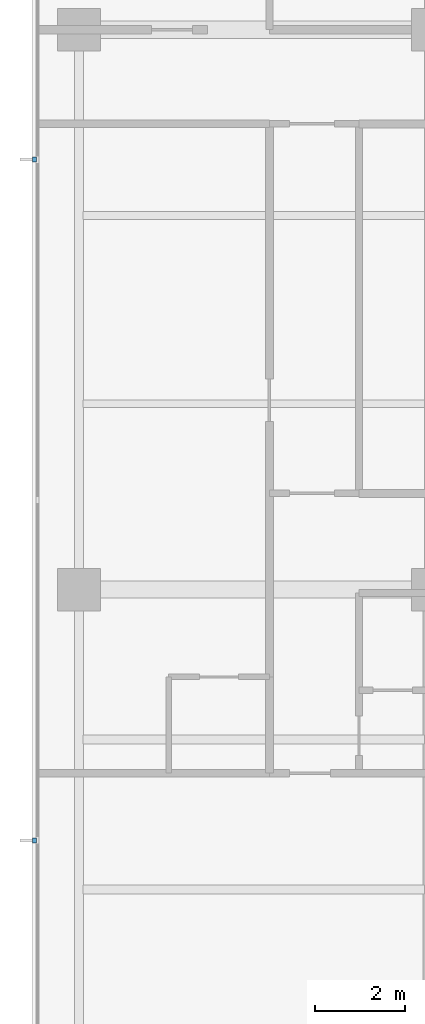
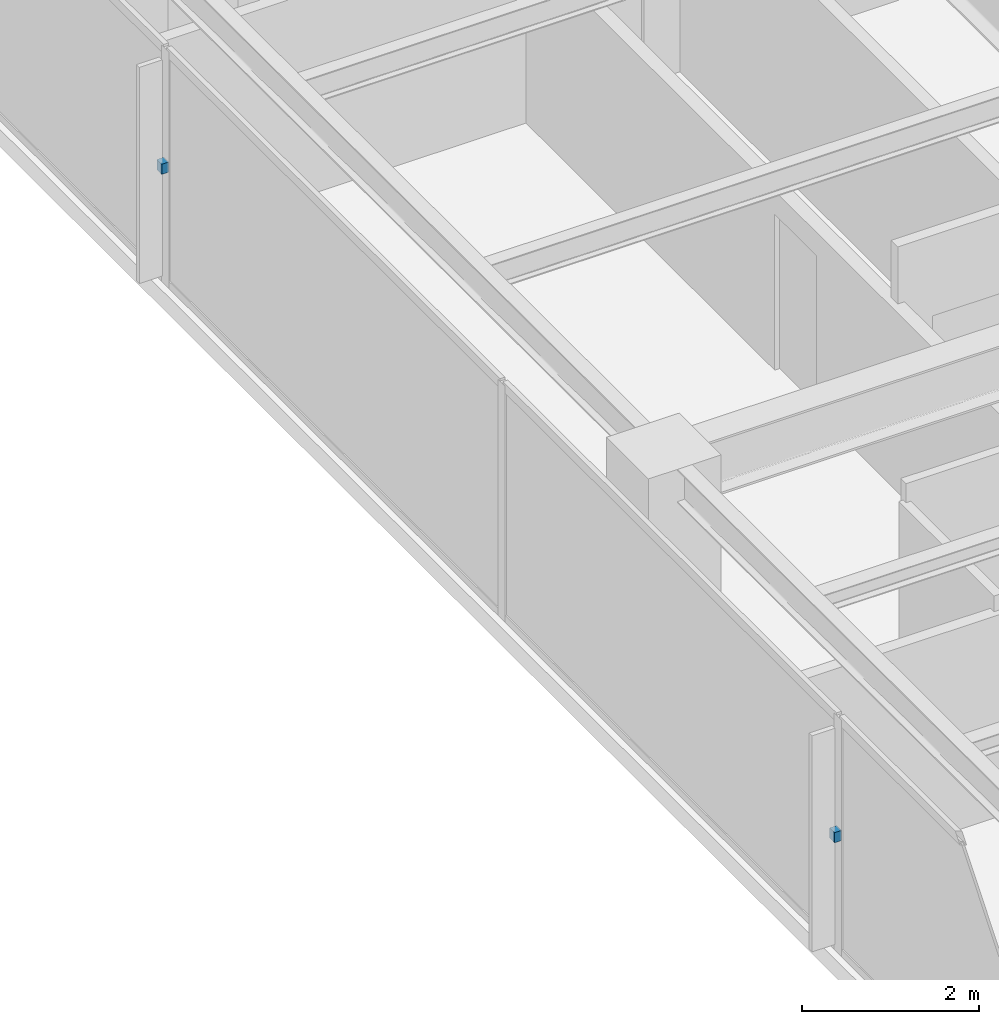
# One storey, part 11 of 15: 2 discrete accessories.
"""IFC4 building model written with IfcOpenShell, lengths in metres."""

import ifcopenshell
import ifcopenshell.guid

model = None  # the IFC model being written
_history = None  # IfcOwnerHistory: only IFC2X3 demands one
_inside = {}  # id of a spatial element -> (the spatial element, [elements in it])
_under = {}  # id of a project, library or spatial element -> (it, [spatial elements below it])
_declared = {}  # id of a project -> (the project, [libraries it declares])
_typed = {}  # id of a type object -> (the type object, [elements of that type])
_made_of = {}  # id of a material, layer set ... -> (it, [elements and type objects made of it])


def new_model(schema):
    """Start an empty IFC model of exactly this schema.

    Asked for "IFC4X3", IfcOpenShell would pick the latest addendum, in which some entities
    have other attributes; the version numbers below select the first issue.
    IFC2X3 requires an IfcOwnerHistory on every rooted entity: one is made here for all.
    """
    global model, _history
    if schema == "IFC4X3":
        model = ifcopenshell.file(schema_version=(4, 3, 0, 0))
    else:
        model = ifcopenshell.file(schema=schema)
    _inside.clear()
    _under.clear()
    _declared.clear()
    _typed.clear()
    _made_of.clear()
    _history = None
    if model.schema == "IFC2X3":
        org = make("IfcOrganization", Name="unknown")
        user = make(
            "IfcPersonAndOrganization",
            ThePerson=make("IfcPerson", FamilyName="unknown"),
            TheOrganization=org,
        )
        app = make(
            "IfcApplication",
            ApplicationDeveloper=org,
            Version="unknown",
            ApplicationFullName="unknown",
            ApplicationIdentifier="unknown",
        )
        _history = make(
            "IfcOwnerHistory",
            OwningUser=user,
            OwningApplication=app,
            ChangeAction="ADDED",
            CreationDate=0,
        )
    return model


def make(cls, **values):
    """One entity of the class cls with the attributes given. An attribute that is None is left unset."""
    return model.create_entity(
        cls, **{name: value for name, value in values.items() if value is not None}
    )


def rooted(cls, **values):
    """An entity with a GlobalId (a new one), such as an element, a storey or a relation."""
    return make(cls, GlobalId=ifcopenshell.guid.new(), OwnerHistory=_history, **values)


def si_unit(unit_type, name, prefix=None):
    """IfcSIUnit, for example si_unit("LENGTHUNIT", "METRE", prefix="MILLI")."""
    return make("IfcSIUnit", UnitType=unit_type, Prefix=prefix, Name=name)


def assignment(units):
    """IfcUnitAssignment: the units of a project."""
    return None if units is None else make("IfcUnitAssignment", Units=units)


def point(xyz):
    """IfcCartesianPoint."""
    return None if xyz is None else make("IfcCartesianPoint", Coordinates=xyz)


def direction(xyz):
    """IfcDirection."""
    return None if xyz is None else make("IfcDirection", DirectionRatios=xyz)


def frame(location, z_axis=None, x_axis=None):
    """IfcAxis2Placement3D, a coordinate frame: its origin and axes. An axis left out is left unset."""
    return make(
        "IfcAxis2Placement3D",
        Location=point(location),
        Axis=direction(z_axis),
        RefDirection=direction(x_axis),
    )


def origin():
    """The frame at (0, 0, 0) with its axes left unset."""
    return frame((0.0, 0.0, 0.0))


def place(relative_to, where):
    """IfcLocalPlacement: puts the frame where relative to a parent placement (None: the world)."""
    return make(
        "IfcLocalPlacement", PlacementRelTo=relative_to, RelativePlacement=where
    )


def context(
    kind, dimensions, precision=None, world=None, true_north=None, identifier=None
):
    """IfcGeometricRepresentationContext, for example the 3D "Model" context."""
    return make(
        "IfcGeometricRepresentationContext",
        ContextIdentifier=identifier,
        ContextType=kind,
        CoordinateSpaceDimension=dimensions,
        Precision=precision,
        WorldCoordinateSystem=world,
        TrueNorth=true_north,
    )


def subcontext(parent, identifier, kind, view, scale=None):
    """IfcGeometricRepresentationSubContext, for example "Body" below "Model"."""
    return make(
        "IfcGeometricRepresentationSubContext",
        ContextIdentifier=identifier,
        ContextType=kind,
        ParentContext=parent,
        TargetScale=scale,
        TargetView=view,
    )


def project(units=None, contexts=None):
    """IfcProject with its units and contexts."""
    return rooted(
        "IfcProject",
        Name="project",
        RepresentationContexts=contexts,
        UnitsInContext=assignment(units),
    )


def spatial(cls, under=None, at=None, **own):
    """A site, building, storey or space (cls), placed at a placement, below another one or the project."""
    s = rooted(cls, ObjectPlacement=at, **own)
    if under is not None:
        _under.setdefault(under.id(), (under, []))[1].append(s)
    return s


def polyline(points):
    """IfcPolyline through the points."""
    return make("IfcPolyline", Points=[point(p) for p in points])


def outline(outer, holes=None, kind="AREA"):
    """IfcArbitraryClosedProfileDef: a profile drawn as a closed curve; with holes, ...WithVoids."""
    if holes is None:
        return make("IfcArbitraryClosedProfileDef", ProfileType=kind, OuterCurve=outer)
    return make(
        "IfcArbitraryProfileDefWithVoids",
        ProfileType=kind,
        OuterCurve=outer,
        InnerCurves=holes,
    )


def extrude(swept, where, along, depth):
    """IfcExtrudedAreaSolid: the profile swept, set in the frame where, extruded along a direction by depth."""
    return make(
        "IfcExtrudedAreaSolid",
        SweptArea=swept,
        Position=where,
        ExtrudedDirection=direction(along),
        Depth=depth,
    )


def shape(context_of_items, identifier, shape_type, items):
    """IfcShapeRepresentation: the items that make up one representation, for example the "Body"."""
    return make(
        "IfcShapeRepresentation",
        ContextOfItems=context_of_items,
        RepresentationIdentifier=identifier,
        RepresentationType=shape_type,
        Items=items,
    )


def material(Name=None, Category=None):
    """IfcMaterial."""
    return make("IfcMaterial", Name=Name, Category=Category)


def made_of(thing, what):
    """Note that an element or type object is made of a material, layer set ...; save() writes the relation."""
    if what is not None:
        _made_of.setdefault(what.id(), (what, []))[1].append(thing)
    return thing


def type_object(cls, material=None, **own):
    """A type object (cls), such as IfcWallType, which elements share."""
    return made_of(rooted(cls, **own), material)


def element(
    cls,
    number,
    at=None,
    inside=None,
    cuts=None,
    type_object=None,
    material=None,
    context=None,
    identifier="Body",
    shape_type=None,
    held_by="IfcProductDefinitionShape",
    body=None,
    shapes=None,
    **own,
):
    """One element of the class cls, such as IfcWall. Its Tag is "e" and its number.

    at: its placement. inside: the storey or other place that contains it. cuts: it is an
    opening in that element (IfcRelVoidsElement). A single representation is given by context,
    identifier, shape_type and body (its items); several are given by shapes. held_by: the class
    of the entity that holds the representations. save() writes the other relations.
    """
    e = rooted(cls, Tag="e%d" % number, ObjectPlacement=at, **own)
    if body is not None:
        shapes = [shape(context, identifier, shape_type, body)]
    if shapes is not None:
        e.Representation = make(held_by, Representations=shapes)
    if inside is not None:
        _inside.setdefault(inside.id(), (inside, []))[1].append(e)
    if cuts is not None:
        rooted(
            "IfcRelVoidsElement", RelatingBuildingElement=cuts, RelatedOpeningElement=e
        )
    if type_object is not None:
        _typed.setdefault(type_object.id(), (type_object, []))[1].append(e)
    return made_of(e, material)


def aggregate(whole, parts):
    """IfcRelAggregates: a whole, such as a stair, and the parts it consists of."""
    return rooted("IfcRelAggregates", RelatingObject=whole, RelatedObjects=parts)


def save(model, path):
    """Write the relations noted so far, then the file.

    IfcRelAggregates (storeys below a building ...), IfcRelContainedInSpatialStructure (elements
    in a storey), IfcRelDefinesByType, IfcRelAssociatesMaterial and IfcRelDeclares: one each for
    every whole, place, type object, material and project.
    """
    for whole, parts in _under.values():
        aggregate(whole, parts)
    for where, things in _inside.values():
        rooted(
            "IfcRelContainedInSpatialStructure",
            RelatedElements=things,
            RelatingStructure=where,
        )
    for kind, things in _typed.values():
        rooted("IfcRelDefinesByType", RelatedObjects=things, RelatingType=kind)
    for what, things in _made_of.values():
        rooted("IfcRelAssociatesMaterial", RelatedObjects=things, RelatingMaterial=what)
    for by, libraries in _declared.values():
        rooted("IfcRelDeclares", RelatingContext=by, RelatedDefinitions=libraries)
    model.write(path)


model = new_model("IFC4")

# Units and contexts
model_context = context("Model", 3, precision=1e-05, world=origin(), true_north=direction((0.0, 1.0)))
body_context = subcontext(model_context, "Body", "Model", "MODEL_VIEW")
ifc_project = project(units=[si_unit("LENGTHUNIT", "METRE"), si_unit("AREAUNIT", "SQUARE_METRE"), si_unit("VOLUMEUNIT", "CUBIC_METRE"), si_unit("PLANEANGLEUNIT", "RADIAN"), si_unit("MASSUNIT", "GRAM", prefix="KILO")], contexts=[model_context])

# Site, building, storey
site_placement = place(None, origin())
site = spatial("IfcSite", under=ifc_project, at=site_placement, CompositionType="ELEMENT")
building_placement = place(site_placement, origin())
building = spatial("IfcBuilding", under=site, at=building_placement, Name="Qalmaran Belvedere Hotel", CompositionType="ELEMENT")
storey_placement = place(building_placement, frame((0.0, 0.0, 231.89990234375)))
storey = spatial("IfcBuildingStorey", under=building, at=storey_placement, Name="L59", CompositionType="ELEMENT", Elevation=231.89990234375)

# Discrete accessories
ifc_material = material(Name="Stainless Steel 1.4401", Category="steel")
discrete_accessory_type = type_object("IfcDiscreteAccessoryType", Name="BRK-FIN-SS316", PredefinedType="BRACKET", material=ifc_material)
discrete_accessory_1_placement = place(storey_placement, frame((0.0, 0.0, 1.580078125)))
element("IfcDiscreteAccessory", 1, at=discrete_accessory_1_placement, inside=storey, type_object=discrete_accessory_type, Name="L59 Fin Bracket 1", PredefinedType="BRACKET", context=body_context, shape_type="SweptSolid", body=[
    extrude(outline(polyline([(11.455078125, 30.155029296875), (11.362548828125, 30.155029296875), (11.362548828125, 30.044921875), (11.455078125, 30.044921875), (11.455078125, 30.155029296875)])), origin(), (0.0, 0.0, 1.0), 0.14013671875),
])
discrete_accessory_2_placement = place(storey_placement, frame((0.0, 0.0, 1.580078125)))
element("IfcDiscreteAccessory", 2, at=discrete_accessory_2_placement, inside=storey, type_object=discrete_accessory_type, Name="L59 Fin Bracket 3", PredefinedType="BRACKET", context=body_context, shape_type="SweptSolid", body=[
    extrude(outline(polyline([(11.455078125, 14.955078125), (11.362548828125, 14.955078125), (11.362548828125, 14.844970703125), (11.455078125, 14.844970703125), (11.455078125, 14.955078125)])), origin(), (0.0, 0.0, 1.0), 0.14013671875),
])

save(model, "model.ifc")
